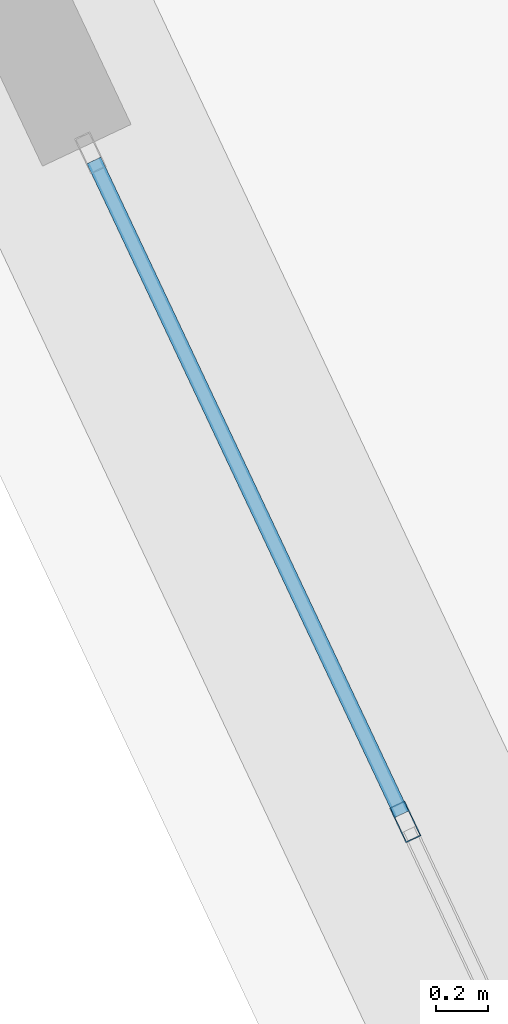
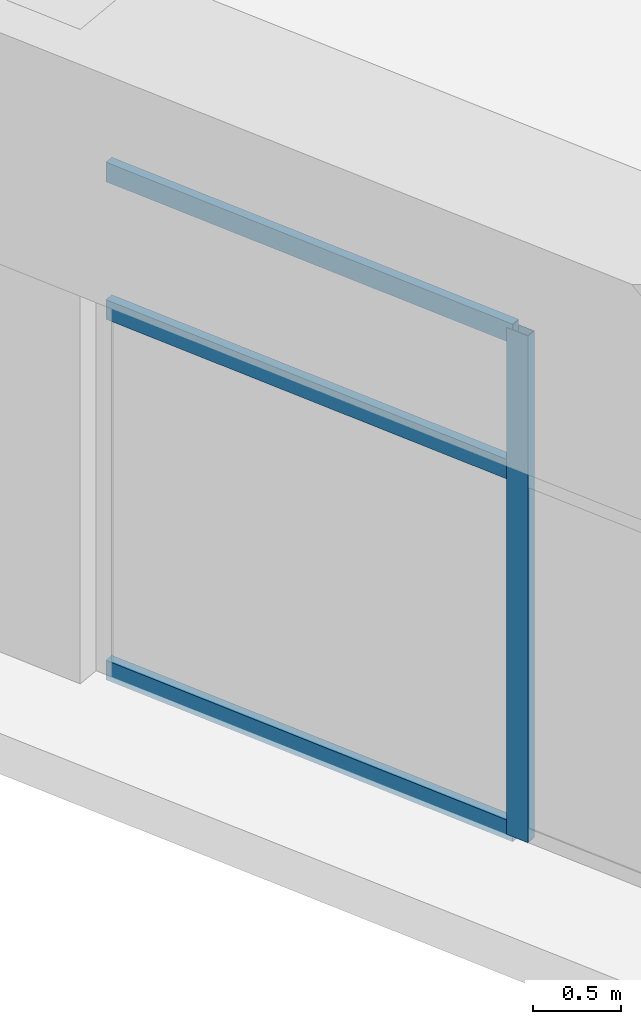
# One storey, part 19 of 40: 4 members, 1 element without a shape of its own.
"""IFC4 building model written with IfcOpenShell, lengths in metres."""

from ifc_helpers import new_model, si_unit, direction, frame, origin, origin_2d, place, context, subcontext, project, spatial, hollow_rectangle, extrude, source, transform, mapped, material, layer, layer_set, material_profile, profile_set, type_object, element, aggregate, save


model = new_model("IFC4")

# Units and contexts
model_context = context("Model", 3, precision=1e-05, world=origin(), true_north=direction((0.0, 1.0)))
body_context = subcontext(model_context, "Body", "Model", "MODEL_VIEW")
ifc_project = project(units=[si_unit("LENGTHUNIT", "METRE"), si_unit("AREAUNIT", "SQUARE_METRE"), si_unit("VOLUMEUNIT", "CUBIC_METRE"), si_unit("PLANEANGLEUNIT", "RADIAN"), si_unit("MASSUNIT", "GRAM", prefix="KILO")], contexts=[model_context])

# Site, building, storey
site_placement = place(None, origin())
site = spatial("IfcSite", under=ifc_project, at=site_placement, CompositionType="ELEMENT")
building_placement = place(site_placement, origin())
building = spatial("IfcBuilding", under=site, at=building_placement, Name="Liaohun Quay Tower", CompositionType="ELEMENT")
storey_placement = place(building_placement, frame((0.0, 0.0, 351.0)))
storey = spatial("IfcBuildingStorey", under=building, at=storey_placement, Name="L91", CompositionType="ELEMENT", Elevation=351.0)

# Curtain wall, members
ifc_material_1 = material(Name="Observation gallery panoramic triple-glazed curtain wall")
ifc_layer = layer(ifc_material_1, 0.219970703125, Name="Observation gallery panoramic triple-glazed curtain wall")
ifc_layer_set = layer_set([ifc_layer], Name="Observation gallery panoramic triple-glazed curtain wall")
curtain_wall_type = type_object("IfcCurtainWallType", Name="CW-OBS-CRN", PredefinedType="NOTDEFINED", material=ifc_layer_set)
curtain_wall_placement = place(storey_placement, origin())
curtain_wall = element("IfcCurtainWall", 1, at=curtain_wall_placement, inside=storey, type_object=curtain_wall_type, Name="L91 Panoramic Belvedere Curtain Wall 05", PredefinedType="NOTDEFINED")
ifc_material_2 = material(Name="Anodised aluminium 6063-T6", Category="aluminium")
ifc_material_profile_1 = material_profile(ifc_material_2, hollow_rectangle(XDim=0.06494140625, YDim=0.14990234375, WallThickness=0.00390625, at=origin_2d()), Name="RHS150x65x4")
ifc_profile_set_1 = profile_set([ifc_material_profile_1], Name="Anodised aluminium 6063-T6")
member_type_1 = type_object("IfcMemberType", Name="MEM-CWM-SKY", PredefinedType="MULLION", material=ifc_profile_set_1)
shared_shape_1 = source(origin(), body_context, "Body", "SweptSolid", [
    extrude(hollow_rectangle(XDim=0.06494140625, YDim=0.14990234375, WallThickness=0.00390625, at=origin_2d()), origin(), (0.0, 0.0, 1.0), 3.5),
])
member_1_placement = place(storey_placement, frame((34.819580078125, 57.89208984375, 0.0), z_axis=(0.0, 0.0, 1.0), x_axis=(0.904728821785, 0.425987979915, 0.0)))
member_1 = element("IfcMember", 2, at=member_1_placement, type_object=member_type_1, Name="CW6 mullion 2", PredefinedType="MULLION", context=body_context, shape_type="MappedRepresentation", body=[
    mapped(shared_shape_1, transform((0.0, 0.0, 0.0), x_axis=(1.0, 0.0, 0.0), y_axis=(0.0, 1.0, 0.0), z_axis=(0.0, 0.0, 1.0), scale=1.0)),
])
ifc_material_profile_2 = material_profile(ifc_material_2, hollow_rectangle(XDim=0.06005859375, YDim=0.135009765625, WallThickness=0.00390625, at=origin_2d()), Name="RHS135x60x4")
ifc_profile_set_2 = profile_set([ifc_material_profile_2], Name="Anodised aluminium 6063-T6")
member_type_2 = type_object("IfcMemberType", Name="MEM-CWT-SKY", PredefinedType="USERDEFINED", material=ifc_profile_set_2)
shared_shape_2 = source(origin(), body_context, "Body", "SweptSolid", [
    extrude(hollow_rectangle(XDim=0.06005859375, YDim=0.135009765625, WallThickness=0.00390625, at=origin_2d()), origin(), (0.0, 0.0, 1.0), 2.802978515625),
])
member_2_placement = place(storey_placement, frame((33.611572265625, 60.457275390625, 0.030029296875), z_axis=(0.426010952361, -0.904718004943, 0.0), x_axis=(0.904718004943, 0.426010952361, 0.0)))
member_2 = element("IfcMember", 3, at=member_2_placement, type_object=member_type_2, Name="CW6 transom 1.1", ObjectType="TRANSOM", PredefinedType="USERDEFINED", context=body_context, shape_type="MappedRepresentation", body=[
    mapped(shared_shape_2, transform((0.0, 0.0, 0.0), x_axis=(1.0, 0.0, 0.0), y_axis=(0.0, 1.0, 0.0), z_axis=(0.0, 0.0, 1.0), scale=1.0)),
])
member_3_placement = place(storey_placement, frame((33.611572265625, 60.457275390625, 2.52001953125), z_axis=(0.426010952361, -0.904718004943, 0.0), x_axis=(0.904718004943, 0.426010952361, 0.0)))
member_3 = element("IfcMember", 4, at=member_3_placement, type_object=member_type_2, Name="CW6 transom 1.2", ObjectType="TRANSOM", PredefinedType="USERDEFINED", context=body_context, shape_type="MappedRepresentation", body=[
    mapped(shared_shape_2, transform((0.0, 0.0, 0.0), x_axis=(1.0, 0.0, 0.0), y_axis=(0.0, 1.0, 0.0), z_axis=(0.0, 0.0, 1.0), scale=1.0)),
])
member_4_placement = place(storey_placement, frame((33.611572265625, 60.457275390625, 3.469970703125), z_axis=(0.426010952361, -0.904718004943, 0.0), x_axis=(0.904718004943, 0.426010952361, 0.0)))
member_4 = element("IfcMember", 5, at=member_4_placement, type_object=member_type_2, Name="CW6 transom 1.3", ObjectType="TRANSOM", PredefinedType="USERDEFINED", context=body_context, shape_type="MappedRepresentation", body=[
    mapped(shared_shape_2, transform((0.0, 0.0, 0.0), x_axis=(1.0, 0.0, 0.0), y_axis=(0.0, 1.0, 0.0), z_axis=(0.0, 0.0, 1.0), scale=1.0)),
])
aggregate(curtain_wall, [member_1, member_2, member_3, member_4])

save(model, "model.ifc")
